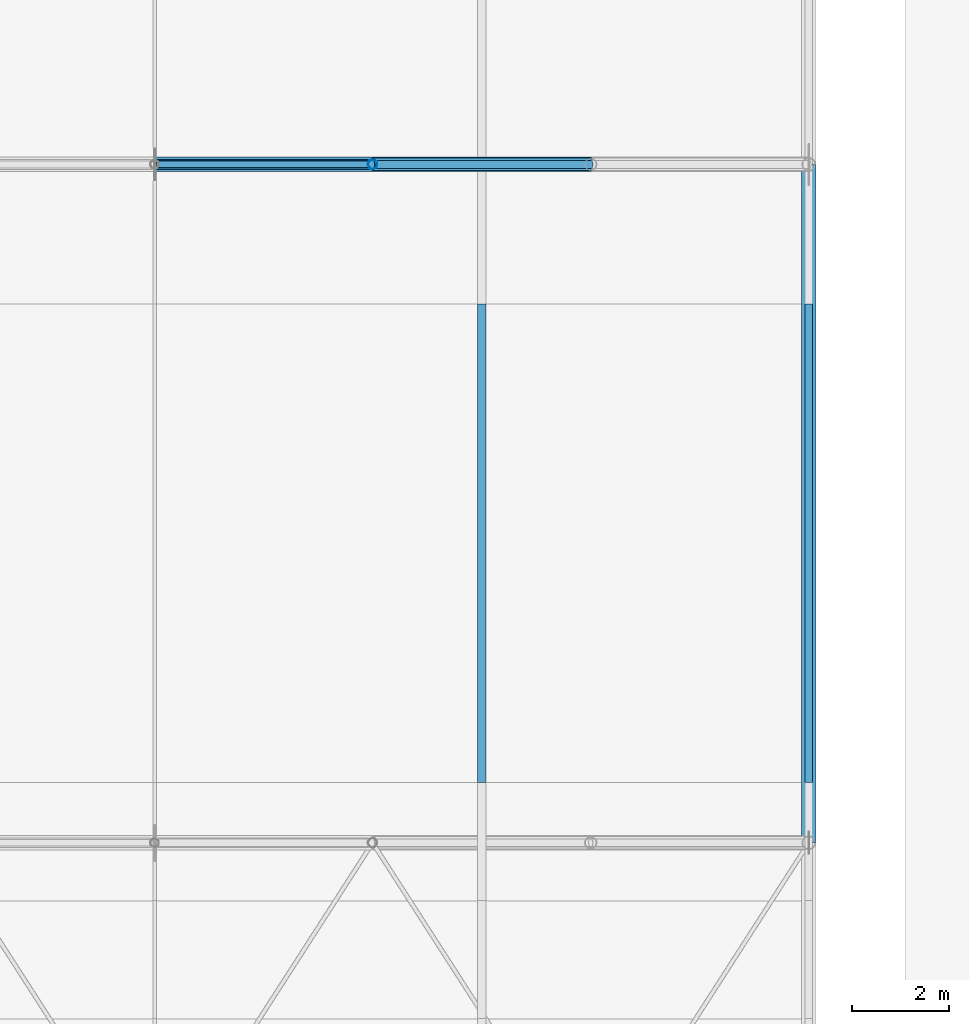
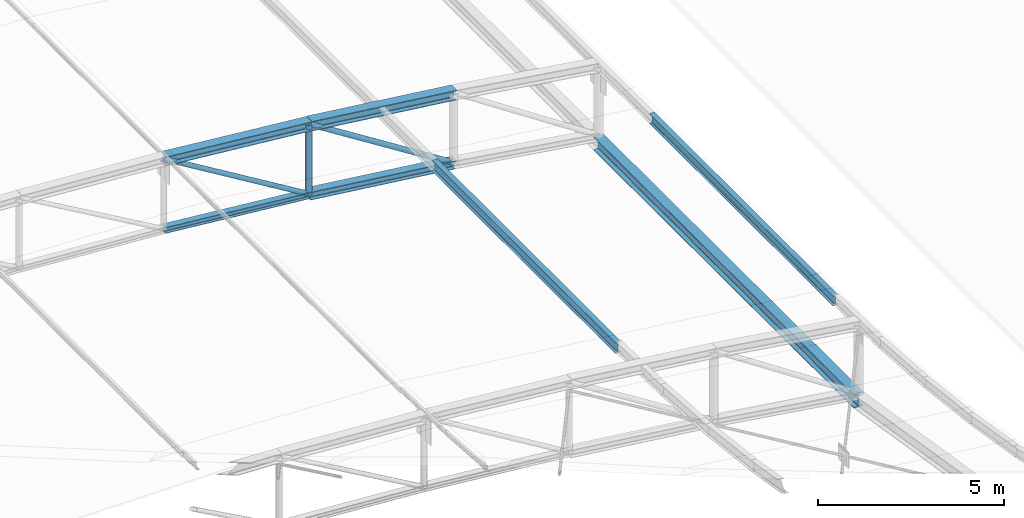
# One storey, part 166 of 262: 9 members, 1 beam.
"""IFC4 building model written with IfcOpenShell, lengths in metres."""

from ifc_helpers import new_model, si_unit, derived_unit, direction, frame, origin, origin_2d, place, context, subcontext, project, spatial, hollow_circle, i_section, extrude, material, material_profile, profile_set, type_object, element, save


model = new_model("IFC4")

# Units and contexts
model_context = context("Model", 3, precision=1e-05, world=origin(), true_north=direction((0.0, 1.0)))
body_context = subcontext(model_context, "Body", "Model", "MODEL_VIEW")
ifc_project = project(units=[si_unit("LENGTHUNIT", "METRE"), si_unit("AREAUNIT", "SQUARE_METRE"), si_unit("VOLUMEUNIT", "CUBIC_METRE"), si_unit("PLANEANGLEUNIT", "RADIAN"), si_unit("MASSUNIT", "GRAM", prefix="KILO"), derived_unit("THERMALTRANSMITTANCEUNIT", [(si_unit("POWERUNIT", "WATT"), 1), (si_unit("LENGTHUNIT", "METRE"), -2), (si_unit("THERMODYNAMICTEMPERATUREUNIT", "KELVIN"), -1)])], contexts=[model_context])

# Site, building, storey
site_placement = place(None, origin())
site = spatial("IfcSite", under=ifc_project, at=site_placement, CompositionType="ELEMENT")
building_placement = place(site_placement, origin())
building = spatial("IfcBuilding", under=site, at=building_placement, Name="Almenara Railside Exhibition Hall", CompositionType="ELEMENT")
storey_placement = place(building_placement, frame((0.0, 0.0, 21.699951171875)))
storey = spatial("IfcBuildingStorey", under=building, at=storey_placement, Name="RF", CompositionType="ELEMENT", Elevation=21.699951171875)

# Members
ifc_material = material(Name="Structural steel S355JR", Category="steel")
ifc_material_profile_1 = material_profile(ifc_material, i_section(OverallWidth=0.300048828125, OverallDepth=0.300048828125, WebThickness=0.010986328125, FlangeThickness=0.01904296875, FilletRadius=0.027099609375, at=origin_2d()), Name="HEB 300")
ifc_profile_set_1 = profile_set([ifc_material_profile_1], Name="Structural steel S355JR")
member_type_1 = type_object("IfcMemberType", Name="Arched Inner Top Chord HEB 300 S355JR", PredefinedType="CHORD", material=ifc_profile_set_1)
member_1_placement = place(storey_placement, frame((178.5, 76.0, -5.64990234375), z_axis=(0.995512933083, 0.0, -0.094625578275), x_axis=(0.0, 1.0, 0.0)))
element("IfcMember", 1, at=member_1_placement, inside=storey, type_object=member_type_1, Name="MEM-TC-V2-03-09", PredefinedType="CHORD", context=body_context, shape_type="SweptSolid", body=[
    extrude(i_section(OverallWidth=0.300048828125, OverallDepth=0.300048828125, WebThickness=0.010986328125, FlangeThickness=0.01904296875, FilletRadius=0.027099609375, at=origin_2d()), origin(), (0.0, 0.0, 1.0), 4.520263671875),
])
ifc_material_profile_2 = material_profile(ifc_material, i_section(OverallWidth=0.260009765625, OverallDepth=0.260009765625, WebThickness=0.010009765625, FlangeThickness=0.017578125, FilletRadius=0.02392578125, at=origin_2d()), Name="HEB 260")
ifc_profile_set_2 = profile_set([ifc_material_profile_2], Name="Structural steel S355JR")
member_type_2 = type_object("IfcMemberType", Name="Arched Truss Bottom Chord HEB 260 S355JR", PredefinedType="CHORD", material=ifc_profile_set_2)
member_2_placement = place(storey_placement, frame((183.0, 76.0, -8.377685546875), z_axis=(0.992612220818, 0.0, -0.121330041965), x_axis=(0.0, 1.0, 0.0)))
element("IfcMember", 2, at=member_2_placement, inside=storey, type_object=member_type_2, Name="MEM-BC-V2-03-10", PredefinedType="CHORD", context=body_context, shape_type="SweptSolid", body=[
    extrude(i_section(OverallWidth=0.260009765625, OverallDepth=0.260009765625, WebThickness=0.010009765625, FlangeThickness=0.017578125, FilletRadius=0.02392578125, at=origin_2d()), origin(), (0.0, 0.0, 1.0), 4.533447265625),
])
ifc_material_profile_3 = material_profile(ifc_material, i_section(OverallWidth=0.300048828125, OverallDepth=0.320068359375, WebThickness=0.011474609375, FlangeThickness=0.0205078125, FilletRadius=0.027099609375, at=origin_2d()), Name="HEB 320")
ifc_profile_set_3 = profile_set([ifc_material_profile_3], Name="Structural steel S355JR")
member_type_3 = type_object("IfcMemberType", Name="Arched Truss Top Chord HEB 320 S355JR", PredefinedType="CHORD", material=ifc_profile_set_3)
member_3_placement = place(storey_placement, frame((183.0, 76.0, -6.07763671875), z_axis=(0.992612220818, 0.0, -0.121330041965), x_axis=(0.0, 1.0, 0.0)))
element("IfcMember", 3, at=member_3_placement, inside=storey, type_object=member_type_3, Name="MEM-TC-V2-03-10", PredefinedType="CHORD", context=body_context, shape_type="SweptSolid", body=[
    extrude(i_section(OverallWidth=0.300048828125, OverallDepth=0.320068359375, WebThickness=0.011474609375, FlangeThickness=0.0205078125, FilletRadius=0.027099609375, at=origin_2d()), origin(), (0.0, 0.0, 1.0), 4.533447265625),
])
ifc_material_profile_4 = material_profile(ifc_material, i_section(OverallWidth=0.199951171875, OverallDepth=0.199951171875, WebThickness=0.009033203125, FlangeThickness=0.014892578125, FilletRadius=0.01806640625, at=origin_2d()), Name="HEB 200")
ifc_profile_set_4 = profile_set([ifc_material_profile_4], Name="Structural steel S355JR")
member_type_4 = type_object("IfcMemberType", Name="Canopy Collar Chord HEB 200 S355JR", PredefinedType="CHORD", material=ifc_profile_set_4)
member_4_placement = place(storey_placement, frame((178.5, 76.0, -7.949951171875), z_axis=(0.995512933083, 0.0, -0.094625578275), x_axis=(0.0, 1.0, 0.0)))
element("IfcMember", 4, at=member_4_placement, inside=storey, type_object=member_type_4, Name="MEM-BC-V2-03-09", PredefinedType="CHORD", context=body_context, shape_type="SweptSolid", body=[
    extrude(i_section(OverallWidth=0.199951171875, OverallDepth=0.199951171875, WebThickness=0.009033203125, FlangeThickness=0.014892578125, FilletRadius=0.01806640625, at=origin_2d()), origin(), (0.0, 0.0, 1.0), 4.520263671875),
])
ifc_material_profile_5 = material_profile(ifc_material, i_section(OverallWidth=0.159912109375, OverallDepth=0.330078125, WebThickness=0.007568359375, FlangeThickness=0.011474609375, FilletRadius=0.01806640625, at=origin_2d()), Name="IPE 330")
ifc_profile_set_5 = profile_set([ifc_material_profile_5], Name="Structural steel S355JR")
member_type_5 = type_object("IfcMemberType", Name="Gable Bay Purlin IPE 330 S355JR", PredefinedType="PURLIN", material=ifc_profile_set_5)
member_5_placement = place(storey_placement, frame((192.0, 63.240478515625, -7.285400390625), z_axis=(0.0, 1.0, 0.0), x_axis=(-1.0, 0.0, 0.0)))
element("IfcMember", 5, at=member_5_placement, inside=storey, type_object=member_type_5, Name="MEM-PR-V2-PR-IPE330-08-12", PredefinedType="PURLIN", context=body_context, shape_type="SweptSolid", body=[
    extrude(i_section(OverallWidth=0.159912109375, OverallDepth=0.330078125, WebThickness=0.007568359375, FlangeThickness=0.011474609375, FilletRadius=0.01806640625, at=origin_2d()), origin(), (0.0, 0.0, 1.0), 9.879638671875),
])
ifc_material_profile_6 = material_profile(ifc_material, i_section(OverallWidth=0.169921875, OverallDepth=0.360107421875, WebThickness=0.008056640625, FlangeThickness=0.0126953125, FilletRadius=0.01806640625, at=origin_2d()), Name="IPE 360")
ifc_profile_set_6 = profile_set([ifc_material_profile_6], Name="Structural steel S355JR")
member_type_6 = type_object("IfcMemberType", Name="Long-Span Scroll Purlin IPE 360 S355JR", PredefinedType="PURLIN", material=ifc_profile_set_6)
member_6_placement = place(storey_placement, frame((185.25, 63.240478515625, -6.47216796875), z_axis=(0.0, 1.0, 0.0), x_axis=(-1.0, 0.0, 0.0)))
element("IfcMember", 6, at=member_6_placement, inside=storey, type_object=member_type_6, Name="MEM-PR-V2-PR-IPE360-07-12", PredefinedType="PURLIN", context=body_context, shape_type="SweptSolid", body=[
    extrude(i_section(OverallWidth=0.169921875, OverallDepth=0.360107421875, WebThickness=0.008056640625, FlangeThickness=0.0126953125, FilletRadius=0.01806640625, at=origin_2d()), origin(), (0.0, 0.0, 1.0), 9.879638671875),
])

# Beam
ifc_material_profile_7 = material_profile(ifc_material, i_section(OverallWidth=0.300048828125, OverallDepth=0.449951171875, WebThickness=0.013916015625, FlangeThickness=0.02587890625, FilletRadius=0.027099609375, at=origin_2d()), Name="HEB 450")
ifc_profile_set_7 = profile_set([ifc_material_profile_7], Name="Structural steel S355JR")
beam_type = type_object("IfcBeamType", Name="Steel Roof Eaves Tie Girder HEB 450 S355JR", PredefinedType="USERDEFINED", material=ifc_profile_set_7)
beam_placement = place(storey_placement, frame((192.0, 62.0, -9.81005859375), z_axis=(0.0, 0.999999434213, -0.001063754978), x_axis=(-1.0, 0.0, 0.0)))
element("IfcBeam", 7, at=beam_placement, inside=storey, type_object=beam_type, Name="Beam 0980", ObjectType="GIRDER", PredefinedType="USERDEFINED", context=body_context, shape_type="SweptSolid", body=[
    extrude(i_section(OverallWidth=0.300048828125, OverallDepth=0.449951171875, WebThickness=0.013916015625, FlangeThickness=0.02587890625, FilletRadius=0.027099609375, at=origin_2d()), origin(), (0.0, 0.0, 1.0), 14.0),
])

# Members
ifc_material_profile_8 = material_profile(ifc_material, hollow_circle(Radius=0.084228515625, WallThickness=0.006103515625, at=origin_2d()), Name="CHS 168.3x6")
ifc_profile_set_8 = profile_set([ifc_material_profile_8], Name="Structural steel S355JR")
member_type_7 = type_object("IfcMemberType", Name="Truss End Diagonal CHS 168.3x6 S355JR", PredefinedType="BRACE", material=ifc_profile_set_8)
member_7_placement = place(storey_placement, frame((183.0, 76.0, -6.07763671875), z_axis=(0.844810788273, 0.0, -0.535065166141), x_axis=(0.0, 1.0, 0.0)))
element("IfcMember", 8, at=member_7_placement, inside=storey, type_object=member_type_7, Name="MEM-TD-V2-03-10", PredefinedType="BRACE", context=body_context, shape_type="SweptSolid", body=[
    extrude(hollow_circle(Radius=0.084228515625, WallThickness=0.006103515625, at=origin_2d()), origin(), (0.0, 0.0, 1.0), 5.32666015625),
])
ifc_material_profile_9 = material_profile(ifc_material, hollow_circle(Radius=0.076171875, WallThickness=0.0048828125, at=origin_2d()), Name="CHS 152.4x5")
ifc_profile_set_9 = profile_set([ifc_material_profile_9], Name="Structural steel S355JR")
member_type_8 = type_object("IfcMemberType", Name="Truss Mid Diagonal CHS 152.4x5 S355JR", PredefinedType="BRACE", material=ifc_profile_set_9)
member_8_placement = place(storey_placement, frame((178.5, 76.0, -5.64990234375), z_axis=(0.855154829777, 0.0, -0.518372662386), x_axis=(0.0, 1.0, 0.0)))
element("IfcMember", 9, at=member_8_placement, inside=storey, type_object=member_type_8, Name="MEM-TD-V2-03-09", PredefinedType="BRACE", context=body_context, shape_type="SweptSolid", body=[
    extrude(hollow_circle(Radius=0.076171875, WallThickness=0.0048828125, at=origin_2d()), origin(), (0.0, 0.0, 1.0), 5.26220703125),
])
ifc_material_profile_10 = material_profile(ifc_material, hollow_circle(Radius=0.096923828125, WallThickness=0.00634765625, at=origin_2d()), Name="CHS 193.7x6.3")
ifc_profile_set_10 = profile_set([ifc_material_profile_10], Name="Structural steel S355JR")
member_type_9 = type_object("IfcMemberType", Name="Truss Standard Vertical Strut CHS 193.7x6.3 S355JR", PredefinedType="BRACE", material=ifc_profile_set_10)
member_9_placement = place(storey_placement, frame((183.0, 76.0, -8.377685546875), z_axis=(0.0, 0.0, 1.0), x_axis=(1.0, 0.0, 0.0)))
element("IfcMember", 10, at=member_9_placement, inside=storey, type_object=member_type_9, Name="MEM-TV-V2-03-10", PredefinedType="BRACE", context=body_context, shape_type="SweptSolid", body=[
    extrude(hollow_circle(Radius=0.096923828125, WallThickness=0.00634765625, at=origin_2d()), origin(), (0.0, 0.0, 1.0), 2.300048828125),
])

save(model, "model.ifc")
